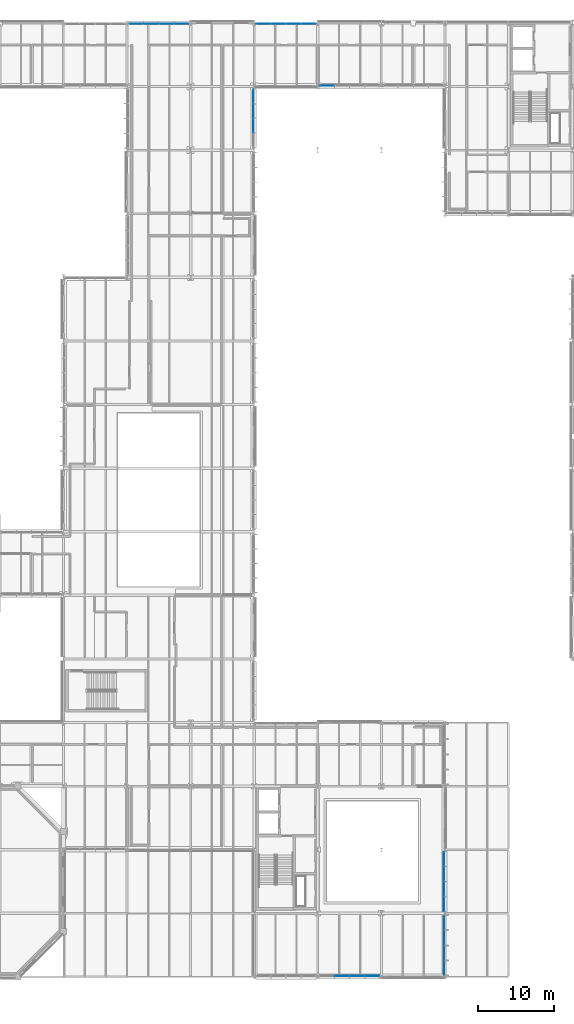
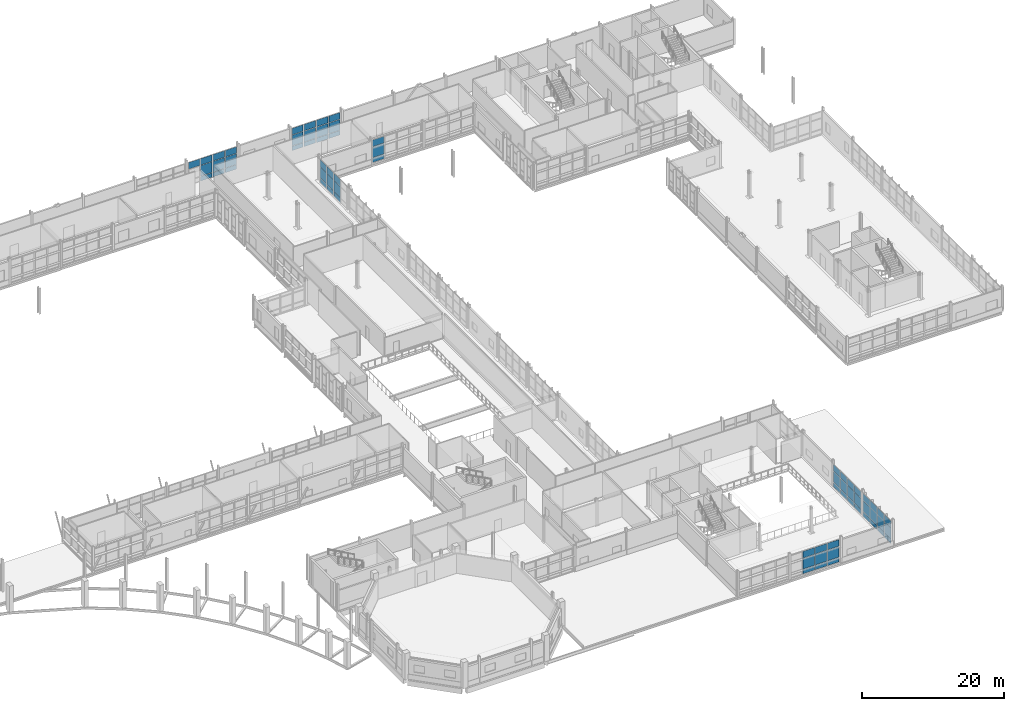
# One storey, part 88 of 129: 67 plates, 7 elements without a shape of their own.
"""IFC4 building model written with IfcOpenShell, lengths in metres."""

import ifcopenshell
import ifcopenshell.guid

model = None  # the IFC model being written
_history = None  # IfcOwnerHistory: only IFC2X3 demands one
_inside = {}  # id of a spatial element -> (the spatial element, [elements in it])
_under = {}  # id of a project, library or spatial element -> (it, [spatial elements below it])
_declared = {}  # id of a project -> (the project, [libraries it declares])
_typed = {}  # id of a type object -> (the type object, [elements of that type])
_made_of = {}  # id of a material, layer set ... -> (it, [elements and type objects made of it])


def new_model(schema):
    """Start an empty IFC model of exactly this schema.

    Asked for "IFC4X3", IfcOpenShell would pick the latest addendum, in which some entities
    have other attributes; the version numbers below select the first issue.
    IFC2X3 requires an IfcOwnerHistory on every rooted entity: one is made here for all.
    """
    global model, _history
    if schema == "IFC4X3":
        model = ifcopenshell.file(schema_version=(4, 3, 0, 0))
    else:
        model = ifcopenshell.file(schema=schema)
    _inside.clear()
    _under.clear()
    _declared.clear()
    _typed.clear()
    _made_of.clear()
    _history = None
    if model.schema == "IFC2X3":
        org = make("IfcOrganization", Name="unknown")
        user = make(
            "IfcPersonAndOrganization",
            ThePerson=make("IfcPerson", FamilyName="unknown"),
            TheOrganization=org,
        )
        app = make(
            "IfcApplication",
            ApplicationDeveloper=org,
            Version="unknown",
            ApplicationFullName="unknown",
            ApplicationIdentifier="unknown",
        )
        _history = make(
            "IfcOwnerHistory",
            OwningUser=user,
            OwningApplication=app,
            ChangeAction="ADDED",
            CreationDate=0,
        )
    return model


def make(cls, **values):
    """One entity of the class cls with the attributes given. An attribute that is None is left unset."""
    return model.create_entity(
        cls, **{name: value for name, value in values.items() if value is not None}
    )


def rooted(cls, **values):
    """An entity with a GlobalId (a new one), such as an element, a storey or a relation."""
    return make(cls, GlobalId=ifcopenshell.guid.new(), OwnerHistory=_history, **values)


def si_unit(unit_type, name, prefix=None):
    """IfcSIUnit, for example si_unit("LENGTHUNIT", "METRE", prefix="MILLI")."""
    return make("IfcSIUnit", UnitType=unit_type, Prefix=prefix, Name=name)


def assignment(units):
    """IfcUnitAssignment: the units of a project."""
    return None if units is None else make("IfcUnitAssignment", Units=units)


def point(xyz):
    """IfcCartesianPoint."""
    return None if xyz is None else make("IfcCartesianPoint", Coordinates=xyz)


def direction(xyz):
    """IfcDirection."""
    return None if xyz is None else make("IfcDirection", DirectionRatios=xyz)


def frame(location, z_axis=None, x_axis=None):
    """IfcAxis2Placement3D, a coordinate frame: its origin and axes. An axis left out is left unset."""
    return make(
        "IfcAxis2Placement3D",
        Location=point(location),
        Axis=direction(z_axis),
        RefDirection=direction(x_axis),
    )


def frame_2d(location, x_axis=None):
    """IfcAxis2Placement2D, a coordinate frame in the plane: its origin and x axis."""
    return make(
        "IfcAxis2Placement2D", Location=point(location), RefDirection=direction(x_axis)
    )


def origin():
    """The frame at (0, 0, 0) with its axes left unset."""
    return frame((0.0, 0.0, 0.0))


def origin_2d():
    """The frame at (0, 0) in the plane with its x axis left unset."""
    return frame_2d((0.0, 0.0))


def place(relative_to, where):
    """IfcLocalPlacement: puts the frame where relative to a parent placement (None: the world)."""
    return make(
        "IfcLocalPlacement", PlacementRelTo=relative_to, RelativePlacement=where
    )


def context(
    kind, dimensions, precision=None, world=None, true_north=None, identifier=None
):
    """IfcGeometricRepresentationContext, for example the 3D "Model" context."""
    return make(
        "IfcGeometricRepresentationContext",
        ContextIdentifier=identifier,
        ContextType=kind,
        CoordinateSpaceDimension=dimensions,
        Precision=precision,
        WorldCoordinateSystem=world,
        TrueNorth=true_north,
    )


def subcontext(parent, identifier, kind, view, scale=None):
    """IfcGeometricRepresentationSubContext, for example "Body" below "Model"."""
    return make(
        "IfcGeometricRepresentationSubContext",
        ContextIdentifier=identifier,
        ContextType=kind,
        ParentContext=parent,
        TargetScale=scale,
        TargetView=view,
    )


def project(units=None, contexts=None):
    """IfcProject with its units and contexts."""
    return rooted(
        "IfcProject",
        Name="project",
        RepresentationContexts=contexts,
        UnitsInContext=assignment(units),
    )


def spatial(cls, under=None, at=None, **own):
    """A site, building, storey or space (cls), placed at a placement, below another one or the project."""
    s = rooted(cls, ObjectPlacement=at, **own)
    if under is not None:
        _under.setdefault(under.id(), (under, []))[1].append(s)
    return s


def profile(cls, at=None, kind="AREA", **sizes):
    """A parametric profile (cls). Its sizes go by their IFC names, for example OverallWidth=200.0."""
    return make(cls, ProfileType=kind, Position=at, **sizes)


def rectangle(**sizes):
    """IfcRectangleProfileDef."""
    return profile("IfcRectangleProfileDef", **sizes)


def extrude(swept, where, along, depth):
    """IfcExtrudedAreaSolid: the profile swept, set in the frame where, extruded along a direction by depth."""
    return make(
        "IfcExtrudedAreaSolid",
        SweptArea=swept,
        Position=where,
        ExtrudedDirection=direction(along),
        Depth=depth,
    )


def shape(context_of_items, identifier, shape_type, items):
    """IfcShapeRepresentation: the items that make up one representation, for example the "Body"."""
    return make(
        "IfcShapeRepresentation",
        ContextOfItems=context_of_items,
        RepresentationIdentifier=identifier,
        RepresentationType=shape_type,
        Items=items,
    )


def material(Name=None, Category=None):
    """IfcMaterial."""
    return make("IfcMaterial", Name=Name, Category=Category)


def layer(
    of_material, thickness, ventilated=None, Name=None, Category=None, Priority=None
):
    """IfcMaterialLayer: one layer of a wall or slab, of a material (None: an air gap)."""
    return make(
        "IfcMaterialLayer",
        Material=of_material,
        LayerThickness=thickness,
        IsVentilated=ventilated,
        Name=Name,
        Category=Category,
        Priority=Priority,
    )


def layer_set(layers, Name=None):
    """IfcMaterialLayerSet."""
    return make("IfcMaterialLayerSet", MaterialLayers=layers, LayerSetName=Name)


def made_of(thing, what):
    """Note that an element or type object is made of a material, layer set ...; save() writes the relation."""
    if what is not None:
        _made_of.setdefault(what.id(), (what, []))[1].append(thing)
    return thing


def type_object(cls, material=None, **own):
    """A type object (cls), such as IfcWallType, which elements share."""
    return made_of(rooted(cls, **own), material)


def element(
    cls,
    number,
    at=None,
    inside=None,
    cuts=None,
    type_object=None,
    material=None,
    context=None,
    identifier="Body",
    shape_type=None,
    held_by="IfcProductDefinitionShape",
    body=None,
    shapes=None,
    **own,
):
    """One element of the class cls, such as IfcWall. Its Tag is "e" and its number.

    at: its placement. inside: the storey or other place that contains it. cuts: it is an
    opening in that element (IfcRelVoidsElement). A single representation is given by context,
    identifier, shape_type and body (its items); several are given by shapes. held_by: the class
    of the entity that holds the representations. save() writes the other relations.
    """
    e = rooted(cls, Tag="e%d" % number, ObjectPlacement=at, **own)
    if body is not None:
        shapes = [shape(context, identifier, shape_type, body)]
    if shapes is not None:
        e.Representation = make(held_by, Representations=shapes)
    if inside is not None:
        _inside.setdefault(inside.id(), (inside, []))[1].append(e)
    if cuts is not None:
        rooted(
            "IfcRelVoidsElement", RelatingBuildingElement=cuts, RelatedOpeningElement=e
        )
    if type_object is not None:
        _typed.setdefault(type_object.id(), (type_object, []))[1].append(e)
    return made_of(e, material)


def aggregate(whole, parts):
    """IfcRelAggregates: a whole, such as a stair, and the parts it consists of."""
    return rooted("IfcRelAggregates", RelatingObject=whole, RelatedObjects=parts)


def save(model, path):
    """Write the relations noted so far, then the file.

    IfcRelAggregates (storeys below a building ...), IfcRelContainedInSpatialStructure (elements
    in a storey), IfcRelDefinesByType, IfcRelAssociatesMaterial and IfcRelDeclares: one each for
    every whole, place, type object, material and project.
    """
    for whole, parts in _under.values():
        aggregate(whole, parts)
    for where, things in _inside.values():
        rooted(
            "IfcRelContainedInSpatialStructure",
            RelatedElements=things,
            RelatingStructure=where,
        )
    for kind, things in _typed.values():
        rooted("IfcRelDefinesByType", RelatedObjects=things, RelatingType=kind)
    for what, things in _made_of.values():
        rooted("IfcRelAssociatesMaterial", RelatedObjects=things, RelatingMaterial=what)
    for by, libraries in _declared.values():
        rooted("IfcRelDeclares", RelatingContext=by, RelatedDefinitions=libraries)
    model.write(path)


model = new_model("IFC4")

# Units and contexts
model_context = context("Model", 3, precision=1e-05, world=origin(), true_north=direction((0.0, 1.0)))
body_context = subcontext(model_context, "Body", "Model", "MODEL_VIEW")
ifc_project = project(units=[si_unit("LENGTHUNIT", "METRE"), si_unit("AREAUNIT", "SQUARE_METRE"), si_unit("VOLUMEUNIT", "CUBIC_METRE"), si_unit("PLANEANGLEUNIT", "RADIAN"), si_unit("MASSUNIT", "GRAM", prefix="KILO")], contexts=[model_context])

# Site, building, storey
site_placement = place(None, origin())
site = spatial("IfcSite", under=ifc_project, at=site_placement, CompositionType="ELEMENT")
building_placement = place(site_placement, origin())
building = spatial("IfcBuilding", under=site, at=building_placement, Name="Mersafa Astral City Hall", CompositionType="ELEMENT")
storey_placement = place(building_placement, frame((0.0, 0.0, 5.39990234375)))
storey = spatial("IfcBuildingStorey", under=building, at=storey_placement, Name="L01", CompositionType="ELEMENT", Elevation=5.39990234375)

# Curtain wall, plates
ifc_material_1 = material(Name="Anodised bronze aluminium framing", Category="aluminium")
curtain_wall_type_1 = type_object("IfcCurtainWallType", Name="ENV-CW-1", PredefinedType="USERDEFINED", material=ifc_material_1)
curtain_wall_1_placement = place(storey_placement, origin())
curtain_wall_1 = element("IfcCurtainWall", 1, at=curtain_wall_1_placement, inside=storey, type_object=curtain_wall_type_1, Name="L01 Unitised solar curtain wall 48", ObjectType="UNITISED CURTAIN WALL", PredefinedType="USERDEFINED")
ifc_material_2 = material(Name="Solar control low-e double glazing", Category="glass")
ifc_layer_1 = layer(ifc_material_2, 0.028076171875, Name="Solar control low-e double glazing")
ifc_layer_set_1 = layer_set([ifc_layer_1], Name="Solar control low-e double glazing — ENV-CW-PNL-GLZ-1")
plate_type_1 = type_object("IfcPlateType", Name="ENV-CW-PNL-GLZ-1", PredefinedType="CURTAIN_PANEL", material=ifc_layer_set_1)
plate_1_placement = place(storey_placement, frame((142.679931640625, 1.19775390625, 0.05810546875), z_axis=(0.0, 0.0, 1.0), x_axis=(0.0, 1.0, 0.0)))
plate_1 = element("IfcPlate", 2, at=plate_1_placement, type_object=plate_type_1, Name="CW-1 panel 1.1", PredefinedType="CURTAIN_PANEL", context=body_context, shape_type="SweptSolid", body=[
    extrude(rectangle(XDim=1.83154296875, YDim=0.028076171875, at=origin_2d()), origin(), (0.0, 0.0, 1.0), 0.761962890625),
])
plate_2_placement = place(storey_placement, frame((142.679931640625, 1.19775390625, 0.8798828125), z_axis=(0.0, 0.0, 1.0), x_axis=(0.0, 1.0, 0.0)))
plate_2 = element("IfcPlate", 3, at=plate_2_placement, type_object=plate_type_1, Name="CW-1 panel 1.2", PredefinedType="CURTAIN_PANEL", context=body_context, shape_type="SweptSolid", body=[
    extrude(rectangle(XDim=1.83154296875, YDim=0.028076171875, at=origin_2d()), origin(), (0.0, 0.0, 1.0), 1.840087890625),
])
plate_3_placement = place(storey_placement, frame((142.679931640625, 1.19775390625, 2.780029296875), z_axis=(0.0, 0.0, 1.0), x_axis=(0.0, 1.0, 0.0)))
plate_3 = element("IfcPlate", 4, at=plate_3_placement, type_object=plate_type_1, Name="CW-1 panel 1.3", PredefinedType="CURTAIN_PANEL", context=body_context, shape_type="SweptSolid", body=[
    extrude(rectangle(XDim=1.83154296875, YDim=0.028076171875, at=origin_2d()), origin(), (0.0, 0.0, 1.0), 1.18701171875),
])
plate_4_placement = place(storey_placement, frame((142.679931640625, 3.17919921875, 0.05810546875), z_axis=(0.0, 0.0, 1.0), x_axis=(0.0, 1.0, 0.0)))
plate_4 = element("IfcPlate", 5, at=plate_4_placement, type_object=plate_type_1, Name="CW-1 panel 2.1", PredefinedType="CURTAIN_PANEL", context=body_context, shape_type="SweptSolid", body=[
    extrude(rectangle(XDim=1.8916015625, YDim=0.028076171875, at=origin_2d()), origin(), (0.0, 0.0, 1.0), 0.761962890625),
])
plate_5_placement = place(storey_placement, frame((142.679931640625, 3.17919921875, 0.8798828125), z_axis=(0.0, 0.0, 1.0), x_axis=(0.0, 1.0, 0.0)))
plate_5 = element("IfcPlate", 6, at=plate_5_placement, type_object=plate_type_1, Name="CW-1 panel 2.2", PredefinedType="CURTAIN_PANEL", context=body_context, shape_type="SweptSolid", body=[
    extrude(rectangle(XDim=1.8916015625, YDim=0.028076171875, at=origin_2d()), origin(), (0.0, 0.0, 1.0), 1.840087890625),
])
plate_6_placement = place(storey_placement, frame((142.679931640625, 3.17919921875, 2.780029296875), z_axis=(0.0, 0.0, 1.0), x_axis=(0.0, 1.0, 0.0)))
plate_6 = element("IfcPlate", 7, at=plate_6_placement, type_object=plate_type_1, Name="CW-1 panel 2.3", PredefinedType="CURTAIN_PANEL", context=body_context, shape_type="SweptSolid", body=[
    extrude(rectangle(XDim=1.8916015625, YDim=0.028076171875, at=origin_2d()), origin(), (0.0, 0.0, 1.0), 1.18701171875),
])
plate_7_placement = place(storey_placement, frame((142.679931640625, 5.190673828125, 0.05810546875), z_axis=(0.0, 0.0, 1.0), x_axis=(0.0, 1.0, 0.0)))
plate_7 = element("IfcPlate", 8, at=plate_7_placement, type_object=plate_type_1, Name="CW-1 panel 3.1", PredefinedType="CURTAIN_PANEL", context=body_context, shape_type="SweptSolid", body=[
    extrude(rectangle(XDim=1.8916015625, YDim=0.028076171875, at=origin_2d()), origin(), (0.0, 0.0, 1.0), 0.761962890625),
])
plate_8_placement = place(storey_placement, frame((142.679931640625, 5.190673828125, 0.8798828125), z_axis=(0.0, 0.0, 1.0), x_axis=(0.0, 1.0, 0.0)))
plate_8 = element("IfcPlate", 9, at=plate_8_placement, type_object=plate_type_1, Name="CW-1 panel 3.2", PredefinedType="CURTAIN_PANEL", context=body_context, shape_type="SweptSolid", body=[
    extrude(rectangle(XDim=1.8916015625, YDim=0.028076171875, at=origin_2d()), origin(), (0.0, 0.0, 1.0), 1.840087890625),
])
plate_9_placement = place(storey_placement, frame((142.679931640625, 5.190673828125, 2.780029296875), z_axis=(0.0, 0.0, 1.0), x_axis=(0.0, 1.0, 0.0)))
plate_9 = element("IfcPlate", 10, at=plate_9_placement, type_object=plate_type_1, Name="CW-1 panel 3.3", PredefinedType="CURTAIN_PANEL", context=body_context, shape_type="SweptSolid", body=[
    extrude(rectangle(XDim=1.8916015625, YDim=0.028076171875, at=origin_2d()), origin(), (0.0, 0.0, 1.0), 1.18701171875),
])
plate_10_placement = place(storey_placement, frame((142.679931640625, 7.17236328125, 0.05810546875), z_axis=(0.0, 0.0, 1.0), x_axis=(0.0, 1.0, 0.0)))
plate_10 = element("IfcPlate", 11, at=plate_10_placement, type_object=plate_type_1, Name="CW-1 panel 4.1", PredefinedType="CURTAIN_PANEL", context=body_context, shape_type="SweptSolid", body=[
    extrude(rectangle(XDim=1.83154296875, YDim=0.028076171875, at=origin_2d()), origin(), (0.0, 0.0, 1.0), 0.761962890625),
])
plate_11_placement = place(storey_placement, frame((142.679931640625, 7.17236328125, 0.8798828125), z_axis=(0.0, 0.0, 1.0), x_axis=(0.0, 1.0, 0.0)))
plate_11 = element("IfcPlate", 12, at=plate_11_placement, type_object=plate_type_1, Name="CW-1 panel 4.2", PredefinedType="CURTAIN_PANEL", context=body_context, shape_type="SweptSolid", body=[
    extrude(rectangle(XDim=1.83154296875, YDim=0.028076171875, at=origin_2d()), origin(), (0.0, 0.0, 1.0), 1.840087890625),
])
plate_12_placement = place(storey_placement, frame((142.679931640625, 7.17236328125, 2.780029296875), z_axis=(0.0, 0.0, 1.0), x_axis=(0.0, 1.0, 0.0)))
plate_12 = element("IfcPlate", 13, at=plate_12_placement, type_object=plate_type_1, Name="CW-1 panel 4.3", PredefinedType="CURTAIN_PANEL", context=body_context, shape_type="SweptSolid", body=[
    extrude(rectangle(XDim=1.83154296875, YDim=0.028076171875, at=origin_2d()), origin(), (0.0, 0.0, 1.0), 1.18701171875),
])
aggregate(curtain_wall_1, [plate_1, plate_2, plate_3, plate_4, plate_5, plate_6, plate_7, plate_8, plate_9, plate_10, plate_11, plate_12])

curtain_wall_2_placement = place(storey_placement, origin())
curtain_wall_2 = element("IfcCurtainWall", 14, at=curtain_wall_2_placement, inside=storey, type_object=curtain_wall_type_1, Name="L01 Unitised solar curtain wall 60", ObjectType="UNITISED CURTAIN WALL", PredefinedType="USERDEFINED")
plate_13_placement = place(storey_placement, frame((127.201416015625, 117.719970703125, 0.05810546875), z_axis=(0.0, 0.0, 1.0), x_axis=(1.0, 0.0, 0.0)))
plate_13 = element("IfcPlate", 15, at=plate_13_placement, type_object=plate_type_1, Name="CW-1 panel 1.1", PredefinedType="CURTAIN_PANEL", context=body_context, shape_type="SweptSolid", body=[
    extrude(rectangle(XDim=1.839111328125, YDim=0.028076171875, at=origin_2d()), origin(), (0.0, 0.0, 1.0), 0.761962890625),
])
plate_14_placement = place(storey_placement, frame((127.201416015625, 117.719970703125, 0.8798828125), z_axis=(0.0, 0.0, 1.0), x_axis=(1.0, 0.0, 0.0)))
plate_14 = element("IfcPlate", 16, at=plate_14_placement, type_object=plate_type_1, Name="CW-1 panel 1.2", PredefinedType="CURTAIN_PANEL", context=body_context, shape_type="SweptSolid", body=[
    extrude(rectangle(XDim=1.839111328125, YDim=0.028076171875, at=origin_2d()), origin(), (0.0, 0.0, 1.0), 1.840087890625),
])
plate_15_placement = place(storey_placement, frame((127.201416015625, 117.719970703125, 2.780029296875), z_axis=(0.0, 0.0, 1.0), x_axis=(1.0, 0.0, 0.0)))
plate_15 = element("IfcPlate", 17, at=plate_15_placement, type_object=plate_type_1, Name="CW-1 panel 1.3", PredefinedType="CURTAIN_PANEL", context=body_context, shape_type="SweptSolid", body=[
    extrude(rectangle(XDim=1.839111328125, YDim=0.028076171875, at=origin_2d()), origin(), (0.0, 0.0, 1.0), 1.126953125),
])
aggregate(curtain_wall_2, [plate_13, plate_14, plate_15])

curtain_wall_type_2 = type_object("IfcCurtainWallType", Name="ENV-CW-5", PredefinedType="USERDEFINED", material=ifc_material_1)
curtain_wall_3_placement = place(storey_placement, origin())
curtain_wall_3 = element("IfcCurtainWall", 18, at=curtain_wall_3_placement, inside=storey, type_object=curtain_wall_type_2, Name="L01 Unitised solar curtain wall 76", ObjectType="UNITISED CURTAIN WALL", PredefinedType="USERDEFINED")
plate_16_placement = place(storey_placement, frame((124.798583984375, 125.8798828125, 0.05810546875), z_axis=(0.0, 0.0, 1.0), x_axis=(-1.0, 0.0, 0.0)))
plate_16 = element("IfcPlate", 19, at=plate_16_placement, type_object=plate_type_1, Name="CW-5 panel 1.1", PredefinedType="CURTAIN_PANEL", context=body_context, shape_type="SweptSolid", body=[
    extrude(rectangle(XDim=1.839111328125, YDim=0.028076171875, at=origin_2d()), origin(), (0.0, 0.0, 1.0), 0.761962890625),
])
plate_17_placement = place(storey_placement, frame((124.798583984375, 125.8798828125, 0.8798828125), z_axis=(0.0, 0.0, 1.0), x_axis=(-1.0, 0.0, 0.0)))
plate_17 = element("IfcPlate", 20, at=plate_17_placement, type_object=plate_type_1, Name="CW-5 panel 1.2", PredefinedType="CURTAIN_PANEL", context=body_context, shape_type="SweptSolid", body=[
    extrude(rectangle(XDim=1.839111328125, YDim=0.028076171875, at=origin_2d()), origin(), (0.0, 0.0, 1.0), 1.840087890625),
])
plate_18_placement = place(storey_placement, frame((124.798583984375, 125.8798828125, 2.780029296875), z_axis=(0.0, 0.0, 1.0), x_axis=(-1.0, 0.0, 0.0)))
plate_18 = element("IfcPlate", 21, at=plate_18_placement, type_object=plate_type_1, Name="CW-5 panel 1.3", PredefinedType="CURTAIN_PANEL", context=body_context, shape_type="SweptSolid", body=[
    extrude(rectangle(XDim=1.839111328125, YDim=0.028076171875, at=origin_2d()), origin(), (0.0, 0.0, 1.0), 1.126953125),
])
plate_19_placement = place(storey_placement, frame((122.8095703125, 125.8798828125, 0.05810546875), z_axis=(0.0, 0.0, 1.0), x_axis=(-1.0, 0.0, 0.0)))
plate_19 = element("IfcPlate", 22, at=plate_19_placement, type_object=plate_type_1, Name="CW-5 panel 2.1", PredefinedType="CURTAIN_PANEL", context=body_context, shape_type="SweptSolid", body=[
    extrude(rectangle(XDim=1.89892578125, YDim=0.028076171875, at=origin_2d()), origin(), (0.0, 0.0, 1.0), 0.761962890625),
])
plate_20_placement = place(storey_placement, frame((122.8095703125, 125.8798828125, 0.8798828125), z_axis=(0.0, 0.0, 1.0), x_axis=(-1.0, 0.0, 0.0)))
plate_20 = element("IfcPlate", 23, at=plate_20_placement, type_object=plate_type_1, Name="CW-5 panel 2.2", PredefinedType="CURTAIN_PANEL", context=body_context, shape_type="SweptSolid", body=[
    extrude(rectangle(XDim=1.89892578125, YDim=0.028076171875, at=origin_2d()), origin(), (0.0, 0.0, 1.0), 1.840087890625),
])
plate_21_placement = place(storey_placement, frame((122.8095703125, 125.8798828125, 2.780029296875), z_axis=(0.0, 0.0, 1.0), x_axis=(-1.0, 0.0, 0.0)))
plate_21 = element("IfcPlate", 24, at=plate_21_placement, type_object=plate_type_1, Name="CW-5 panel 2.3", PredefinedType="CURTAIN_PANEL", context=body_context, shape_type="SweptSolid", body=[
    extrude(rectangle(XDim=1.89892578125, YDim=0.028076171875, at=origin_2d()), origin(), (0.0, 0.0, 1.0), 1.126953125),
])
plate_22_placement = place(storey_placement, frame((120.79052734375, 125.8798828125, 0.05810546875), z_axis=(0.0, 0.0, 1.0), x_axis=(-1.0, 0.0, 0.0)))
plate_22 = element("IfcPlate", 25, at=plate_22_placement, type_object=plate_type_1, Name="CW-5 panel 3.1", PredefinedType="CURTAIN_PANEL", context=body_context, shape_type="SweptSolid", body=[
    extrude(rectangle(XDim=1.89892578125, YDim=0.028076171875, at=origin_2d()), origin(), (0.0, 0.0, 1.0), 0.761962890625),
])
plate_23_placement = place(storey_placement, frame((120.79052734375, 125.8798828125, 0.8798828125), z_axis=(0.0, 0.0, 1.0), x_axis=(-1.0, 0.0, 0.0)))
plate_23 = element("IfcPlate", 26, at=plate_23_placement, type_object=plate_type_1, Name="CW-5 panel 3.2", PredefinedType="CURTAIN_PANEL", context=body_context, shape_type="SweptSolid", body=[
    extrude(rectangle(XDim=1.89892578125, YDim=0.028076171875, at=origin_2d()), origin(), (0.0, 0.0, 1.0), 1.840087890625),
])
plate_24_placement = place(storey_placement, frame((120.79052734375, 125.8798828125, 2.780029296875), z_axis=(0.0, 0.0, 1.0), x_axis=(-1.0, 0.0, 0.0)))
plate_24 = element("IfcPlate", 27, at=plate_24_placement, type_object=plate_type_1, Name="CW-5 panel 3.3", PredefinedType="CURTAIN_PANEL", context=body_context, shape_type="SweptSolid", body=[
    extrude(rectangle(XDim=1.89892578125, YDim=0.028076171875, at=origin_2d()), origin(), (0.0, 0.0, 1.0), 1.126953125),
])
plate_25_placement = place(storey_placement, frame((118.801513671875, 125.8798828125, 0.05810546875), z_axis=(0.0, 0.0, 1.0), x_axis=(-1.0, 0.0, 0.0)))
plate_25 = element("IfcPlate", 28, at=plate_25_placement, type_object=plate_type_1, Name="CW-5 panel 4.1", PredefinedType="CURTAIN_PANEL", context=body_context, shape_type="SweptSolid", body=[
    extrude(rectangle(XDim=1.839111328125, YDim=0.028076171875, at=origin_2d()), origin(), (0.0, 0.0, 1.0), 0.761962890625),
])
plate_26_placement = place(storey_placement, frame((118.801513671875, 125.8798828125, 0.8798828125), z_axis=(0.0, 0.0, 1.0), x_axis=(-1.0, 0.0, 0.0)))
plate_26 = element("IfcPlate", 29, at=plate_26_placement, type_object=plate_type_1, Name="CW-5 panel 4.2", PredefinedType="CURTAIN_PANEL", context=body_context, shape_type="SweptSolid", body=[
    extrude(rectangle(XDim=1.839111328125, YDim=0.028076171875, at=origin_2d()), origin(), (0.0, 0.0, 1.0), 1.840087890625),
])
plate_27_placement = place(storey_placement, frame((118.801513671875, 125.8798828125, 2.780029296875), z_axis=(0.0, 0.0, 1.0), x_axis=(-1.0, 0.0, 0.0)))
plate_27 = element("IfcPlate", 30, at=plate_27_placement, type_object=plate_type_1, Name="CW-5 panel 4.3", PredefinedType="CURTAIN_PANEL", context=body_context, shape_type="SweptSolid", body=[
    extrude(rectangle(XDim=1.839111328125, YDim=0.028076171875, at=origin_2d()), origin(), (0.0, 0.0, 1.0), 1.126953125),
])
aggregate(curtain_wall_3, [plate_16, plate_17, plate_18, plate_19, plate_20, plate_21, plate_22, plate_23, plate_24, plate_25, plate_26, plate_27])

curtain_wall_type_3 = type_object("IfcCurtainWallType", Name="ENV-CW-2", PredefinedType="USERDEFINED", material=ifc_material_1)
curtain_wall_4_placement = place(storey_placement, origin())
curtain_wall_4 = element("IfcCurtainWall", 31, at=curtain_wall_4_placement, inside=storey, type_object=curtain_wall_type_3, Name="L01 Unitised solar curtain wall 49", ObjectType="UNITISED CURTAIN WALL", PredefinedType="USERDEFINED")
ifc_layer_2 = layer(ifc_material_2, 0.031982421875, Name="Solar control low-e double glazing")
ifc_layer_set_2 = layer_set([ifc_layer_2], Name="Solar control low-e double glazing — ENV-CW-PNL-GLZ-2")
plate_type_2 = type_object("IfcPlateType", Name="ENV-CW-PNL-GLZ-2", PredefinedType="CURTAIN_PANEL", material=ifc_layer_set_2)
plate_28_placement = place(storey_placement, frame((142.679931640625, 9.625244140625, 0.05810546875), z_axis=(0.0, 0.0, 1.0), x_axis=(0.0, 1.0, 0.0)))
plate_28 = element("IfcPlate", 32, at=plate_28_placement, type_object=plate_type_2, Name="CW-2 panel 1.1", PredefinedType="CURTAIN_PANEL", context=body_context, shape_type="SweptSolid", body=[
    extrude(rectangle(XDim=1.826416015625, YDim=0.031982421875, at=origin_2d()), origin(), (0.0, 0.0, 1.0), 0.761962890625),
])
plate_29_placement = place(storey_placement, frame((142.679931640625, 9.625244140625, 0.8798828125), z_axis=(0.0, 0.0, 1.0), x_axis=(0.0, 1.0, 0.0)))
plate_29 = element("IfcPlate", 33, at=plate_29_placement, type_object=plate_type_2, Name="CW-2 panel 1.2", PredefinedType="CURTAIN_PANEL", context=body_context, shape_type="SweptSolid", body=[
    extrude(rectangle(XDim=1.826416015625, YDim=0.031982421875, at=origin_2d()), origin(), (0.0, 0.0, 1.0), 1.840087890625),
])
plate_30_placement = place(storey_placement, frame((142.679931640625, 9.625244140625, 2.7802734375), z_axis=(0.0, 0.0, 1.0), x_axis=(0.0, 1.0, 0.0)))
plate_30 = element("IfcPlate", 34, at=plate_30_placement, type_object=plate_type_2, Name="CW-2 panel 1.3", PredefinedType="CURTAIN_PANEL", context=body_context, shape_type="SweptSolid", body=[
    extrude(rectangle(XDim=1.826416015625, YDim=0.031982421875, at=origin_2d()), origin(), (0.0, 0.0, 1.0), 1.096923828125),
])
plate_31_placement = place(storey_placement, frame((142.679931640625, 11.601806640625, 0.05810546875), z_axis=(0.0, 0.0, 1.0), x_axis=(0.0, 1.0, 0.0)))
plate_31 = element("IfcPlate", 35, at=plate_31_placement, type_object=plate_type_2, Name="CW-2 panel 2.1", PredefinedType="CURTAIN_PANEL", context=body_context, shape_type="SweptSolid", body=[
    extrude(rectangle(XDim=1.886474609375, YDim=0.031982421875, at=origin_2d()), origin(), (0.0, 0.0, 1.0), 0.761962890625),
])
plate_32_placement = place(storey_placement, frame((142.679931640625, 11.601806640625, 0.8798828125), z_axis=(0.0, 0.0, 1.0), x_axis=(0.0, 1.0, 0.0)))
plate_32 = element("IfcPlate", 36, at=plate_32_placement, type_object=plate_type_2, Name="CW-2 panel 2.2", PredefinedType="CURTAIN_PANEL", context=body_context, shape_type="SweptSolid", body=[
    extrude(rectangle(XDim=1.886474609375, YDim=0.031982421875, at=origin_2d()), origin(), (0.0, 0.0, 1.0), 1.840087890625),
])
plate_33_placement = place(storey_placement, frame((142.679931640625, 11.601806640625, 2.7802734375), z_axis=(0.0, 0.0, 1.0), x_axis=(0.0, 1.0, 0.0)))
plate_33 = element("IfcPlate", 37, at=plate_33_placement, type_object=plate_type_2, Name="CW-2 panel 2.3", PredefinedType="CURTAIN_PANEL", context=body_context, shape_type="SweptSolid", body=[
    extrude(rectangle(XDim=1.886474609375, YDim=0.031982421875, at=origin_2d()), origin(), (0.0, 0.0, 1.0), 1.096923828125),
])
plate_34_placement = place(storey_placement, frame((142.679931640625, 13.608154296875, 0.05810546875), z_axis=(0.0, 0.0, 1.0), x_axis=(0.0, 1.0, 0.0)))
plate_34 = element("IfcPlate", 38, at=plate_34_placement, type_object=plate_type_2, Name="CW-2 panel 3.1", PredefinedType="CURTAIN_PANEL", context=body_context, shape_type="SweptSolid", body=[
    extrude(rectangle(XDim=1.886474609375, YDim=0.031982421875, at=origin_2d()), origin(), (0.0, 0.0, 1.0), 0.761962890625),
])
plate_35_placement = place(storey_placement, frame((142.679931640625, 13.608154296875, 0.8798828125), z_axis=(0.0, 0.0, 1.0), x_axis=(0.0, 1.0, 0.0)))
plate_35 = element("IfcPlate", 39, at=plate_35_placement, type_object=plate_type_2, Name="CW-2 panel 3.2", PredefinedType="CURTAIN_PANEL", context=body_context, shape_type="SweptSolid", body=[
    extrude(rectangle(XDim=1.886474609375, YDim=0.031982421875, at=origin_2d()), origin(), (0.0, 0.0, 1.0), 1.840087890625),
])
plate_36_placement = place(storey_placement, frame((142.679931640625, 13.608154296875, 2.7802734375), z_axis=(0.0, 0.0, 1.0), x_axis=(0.0, 1.0, 0.0)))
plate_36 = element("IfcPlate", 40, at=plate_36_placement, type_object=plate_type_2, Name="CW-2 panel 3.3", PredefinedType="CURTAIN_PANEL", context=body_context, shape_type="SweptSolid", body=[
    extrude(rectangle(XDim=1.886474609375, YDim=0.031982421875, at=origin_2d()), origin(), (0.0, 0.0, 1.0), 1.096923828125),
])
plate_37_placement = place(storey_placement, frame((142.679931640625, 15.584716796875, 0.05810546875), z_axis=(0.0, 0.0, 1.0), x_axis=(0.0, 1.0, 0.0)))
plate_37 = element("IfcPlate", 41, at=plate_37_placement, type_object=plate_type_2, Name="CW-2 panel 4.1", PredefinedType="CURTAIN_PANEL", context=body_context, shape_type="SweptSolid", body=[
    extrude(rectangle(XDim=1.826416015625, YDim=0.031982421875, at=origin_2d()), origin(), (0.0, 0.0, 1.0), 0.761962890625),
])
plate_38_placement = place(storey_placement, frame((142.679931640625, 15.584716796875, 0.8798828125), z_axis=(0.0, 0.0, 1.0), x_axis=(0.0, 1.0, 0.0)))
plate_38 = element("IfcPlate", 42, at=plate_38_placement, type_object=plate_type_2, Name="CW-2 panel 4.2", PredefinedType="CURTAIN_PANEL", context=body_context, shape_type="SweptSolid", body=[
    extrude(rectangle(XDim=1.826416015625, YDim=0.031982421875, at=origin_2d()), origin(), (0.0, 0.0, 1.0), 1.840087890625),
])
plate_39_placement = place(storey_placement, frame((142.679931640625, 15.584716796875, 2.7802734375), z_axis=(0.0, 0.0, 1.0), x_axis=(0.0, 1.0, 0.0)))
plate_39 = element("IfcPlate", 43, at=plate_39_placement, type_object=plate_type_2, Name="CW-2 panel 4.3", PredefinedType="CURTAIN_PANEL", context=body_context, shape_type="SweptSolid", body=[
    extrude(rectangle(XDim=1.826416015625, YDim=0.031982421875, at=origin_2d()), origin(), (0.0, 0.0, 1.0), 1.096923828125),
])
aggregate(curtain_wall_4, [plate_28, plate_29, plate_30, plate_31, plate_32, plate_33, plate_34, plate_35, plate_36, plate_37, plate_38, plate_39])

curtain_wall_type_4 = type_object("IfcCurtainWallType", Name="ENV-CW-6", PredefinedType="USERDEFINED", material=ifc_material_1)
curtain_wall_5_placement = place(storey_placement, origin())
curtain_wall_5 = element("IfcCurtainWall", 44, at=curtain_wall_5_placement, inside=storey, type_object=curtain_wall_type_4, Name="L01 Unitised solar curtain wall 77", ObjectType="UNITISED CURTAIN WALL", PredefinedType="USERDEFINED")
plate_40_placement = place(storey_placement, frame((107.99853515625, 125.8798828125, 0.05810546875), z_axis=(0.0, 0.0, 1.0), x_axis=(-1.0, 0.0, 0.0)))
plate_40 = element("IfcPlate", 45, at=plate_40_placement, type_object=plate_type_2, Name="CW-6 panel 1.1", PredefinedType="CURTAIN_PANEL", context=body_context, shape_type="SweptSolid", body=[
    extrude(rectangle(XDim=1.839111328125, YDim=0.031982421875, at=origin_2d()), origin(), (0.0, 0.0, 1.0), 0.761962890625),
])
plate_41_placement = place(storey_placement, frame((107.99853515625, 125.8798828125, 0.8798828125), z_axis=(0.0, 0.0, 1.0), x_axis=(-1.0, 0.0, 0.0)))
plate_41 = element("IfcPlate", 46, at=plate_41_placement, type_object=plate_type_2, Name="CW-6 panel 1.2", PredefinedType="CURTAIN_PANEL", context=body_context, shape_type="SweptSolid", body=[
    extrude(rectangle(XDim=1.839111328125, YDim=0.031982421875, at=origin_2d()), origin(), (0.0, 0.0, 1.0), 1.840087890625),
])
plate_42_placement = place(storey_placement, frame((107.99853515625, 125.8798828125, 2.780029296875), z_axis=(0.0, 0.0, 1.0), x_axis=(-1.0, 0.0, 0.0)))
plate_42 = element("IfcPlate", 47, at=plate_42_placement, type_object=plate_type_2, Name="CW-6 panel 1.3", PredefinedType="CURTAIN_PANEL", context=body_context, shape_type="SweptSolid", body=[
    extrude(rectangle(XDim=1.839111328125, YDim=0.031982421875, at=origin_2d()), origin(), (0.0, 0.0, 1.0), 1.126953125),
])
plate_43_placement = place(storey_placement, frame((106.009521484375, 125.8798828125, 0.05810546875), z_axis=(0.0, 0.0, 1.0), x_axis=(-1.0, 0.0, 0.0)))
plate_43 = element("IfcPlate", 48, at=plate_43_placement, type_object=plate_type_2, Name="CW-6 panel 2.1", PredefinedType="CURTAIN_PANEL", context=body_context, shape_type="SweptSolid", body=[
    extrude(rectangle(XDim=1.89892578125, YDim=0.031982421875, at=origin_2d()), origin(), (0.0, 0.0, 1.0), 0.761962890625),
])
plate_44_placement = place(storey_placement, frame((106.009521484375, 125.8798828125, 0.8798828125), z_axis=(0.0, 0.0, 1.0), x_axis=(-1.0, 0.0, 0.0)))
plate_44 = element("IfcPlate", 49, at=plate_44_placement, type_object=plate_type_2, Name="CW-6 panel 2.2", PredefinedType="CURTAIN_PANEL", context=body_context, shape_type="SweptSolid", body=[
    extrude(rectangle(XDim=1.89892578125, YDim=0.031982421875, at=origin_2d()), origin(), (0.0, 0.0, 1.0), 1.840087890625),
])
plate_45_placement = place(storey_placement, frame((106.009521484375, 125.8798828125, 2.780029296875), z_axis=(0.0, 0.0, 1.0), x_axis=(-1.0, 0.0, 0.0)))
plate_45 = element("IfcPlate", 50, at=plate_45_placement, type_object=plate_type_2, Name="CW-6 panel 2.3", PredefinedType="CURTAIN_PANEL", context=body_context, shape_type="SweptSolid", body=[
    extrude(rectangle(XDim=1.89892578125, YDim=0.031982421875, at=origin_2d()), origin(), (0.0, 0.0, 1.0), 1.126953125),
])
plate_46_placement = place(storey_placement, frame((103.990478515625, 125.8798828125, 0.05810546875), z_axis=(0.0, 0.0, 1.0), x_axis=(-1.0, 0.0, 0.0)))
plate_46 = element("IfcPlate", 51, at=plate_46_placement, type_object=plate_type_2, Name="CW-6 panel 3.1", PredefinedType="CURTAIN_PANEL", context=body_context, shape_type="SweptSolid", body=[
    extrude(rectangle(XDim=1.89892578125, YDim=0.031982421875, at=origin_2d()), origin(), (0.0, 0.0, 1.0), 0.761962890625),
])
plate_47_placement = place(storey_placement, frame((103.990478515625, 125.8798828125, 0.8798828125), z_axis=(0.0, 0.0, 1.0), x_axis=(-1.0, 0.0, 0.0)))
plate_47 = element("IfcPlate", 52, at=plate_47_placement, type_object=plate_type_2, Name="CW-6 panel 3.2", PredefinedType="CURTAIN_PANEL", context=body_context, shape_type="SweptSolid", body=[
    extrude(rectangle(XDim=1.89892578125, YDim=0.031982421875, at=origin_2d()), origin(), (0.0, 0.0, 1.0), 1.840087890625),
])
plate_48_placement = place(storey_placement, frame((103.990478515625, 125.8798828125, 2.780029296875), z_axis=(0.0, 0.0, 1.0), x_axis=(-1.0, 0.0, 0.0)))
plate_48 = element("IfcPlate", 53, at=plate_48_placement, type_object=plate_type_2, Name="CW-6 panel 3.3", PredefinedType="CURTAIN_PANEL", context=body_context, shape_type="SweptSolid", body=[
    extrude(rectangle(XDim=1.89892578125, YDim=0.031982421875, at=origin_2d()), origin(), (0.0, 0.0, 1.0), 1.126953125),
])
plate_49_placement = place(storey_placement, frame((102.00146484375, 125.8798828125, 2.780029296875), z_axis=(0.0, 0.0, 1.0), x_axis=(-1.0, 0.0, 0.0)))
plate_49 = element("IfcPlate", 54, at=plate_49_placement, type_object=plate_type_2, Name="CW-6 panel 4.3", PredefinedType="CURTAIN_PANEL", context=body_context, shape_type="SweptSolid", body=[
    extrude(rectangle(XDim=1.839111328125, YDim=0.031982421875, at=origin_2d()), origin(), (0.0, 0.0, 1.0), 1.126953125),
])
aggregate(curtain_wall_5, [plate_40, plate_41, plate_42, plate_43, plate_44, plate_45, plate_46, plate_47, plate_48, plate_49])

curtain_wall_6_placement = place(storey_placement, origin())
curtain_wall_6 = element("IfcCurtainWall", 55, at=curtain_wall_6_placement, inside=storey, type_object=curtain_wall_type_4, Name="L01 Unitised solar curtain wall 47", ObjectType="UNITISED CURTAIN WALL", PredefinedType="USERDEFINED")
ifc_layer_3 = layer(ifc_material_2, 0.0400390625, Name="Solar control low-e double glazing")
ifc_layer_set_3 = layer_set([ifc_layer_3], Name="Solar control low-e double glazing — ENV-CW-PNL-GLZ-4")
plate_type_3 = type_object("IfcPlateType", Name="ENV-CW-PNL-GLZ-4", PredefinedType="CURTAIN_PANEL", material=ifc_layer_set_3)
plate_50_placement = place(storey_placement, frame((129.1904296875, 0.1201171875, 0.05810546875), z_axis=(0.0, 0.0, 1.0), x_axis=(1.0, 0.0, 0.0)))
plate_50 = element("IfcPlate", 56, at=plate_50_placement, type_object=plate_type_3, Name="CW-6 panel 2.1", PredefinedType="CURTAIN_PANEL", context=body_context, shape_type="SweptSolid", body=[
    extrude(rectangle(XDim=1.89892578125, YDim=0.0400390625, at=origin_2d()), origin(), (0.0, 0.0, 1.0), 0.761962890625),
])
plate_51_placement = place(storey_placement, frame((129.1904296875, 0.1201171875, 0.8798828125), z_axis=(0.0, 0.0, 1.0), x_axis=(1.0, 0.0, 0.0)))
plate_51 = element("IfcPlate", 57, at=plate_51_placement, type_object=plate_type_3, Name="CW-6 panel 2.2", PredefinedType="CURTAIN_PANEL", context=body_context, shape_type="SweptSolid", body=[
    extrude(rectangle(XDim=1.89892578125, YDim=0.0400390625, at=origin_2d()), origin(), (0.0, 0.0, 1.0), 1.840087890625),
])
plate_52_placement = place(storey_placement, frame((129.1904296875, 0.1201171875, 2.780029296875), z_axis=(0.0, 0.0, 1.0), x_axis=(1.0, 0.0, 0.0)))
plate_52 = element("IfcPlate", 58, at=plate_52_placement, type_object=plate_type_3, Name="CW-6 panel 2.3", PredefinedType="CURTAIN_PANEL", context=body_context, shape_type="SweptSolid", body=[
    extrude(rectangle(XDim=1.89892578125, YDim=0.0400390625, at=origin_2d()), origin(), (0.0, 0.0, 1.0), 1.126953125),
])
plate_53_placement = place(storey_placement, frame((131.20947265625, 0.1201171875, 0.05810546875), z_axis=(0.0, 0.0, 1.0), x_axis=(1.0, 0.0, 0.0)))
plate_53 = element("IfcPlate", 59, at=plate_53_placement, type_object=plate_type_3, Name="CW-6 panel 3.1", PredefinedType="CURTAIN_PANEL", context=body_context, shape_type="SweptSolid", body=[
    extrude(rectangle(XDim=1.89892578125, YDim=0.0400390625, at=origin_2d()), origin(), (0.0, 0.0, 1.0), 0.761962890625),
])
plate_54_placement = place(storey_placement, frame((131.20947265625, 0.1201171875, 0.8798828125), z_axis=(0.0, 0.0, 1.0), x_axis=(1.0, 0.0, 0.0)))
plate_54 = element("IfcPlate", 60, at=plate_54_placement, type_object=plate_type_3, Name="CW-6 panel 3.2", PredefinedType="CURTAIN_PANEL", context=body_context, shape_type="SweptSolid", body=[
    extrude(rectangle(XDim=1.89892578125, YDim=0.0400390625, at=origin_2d()), origin(), (0.0, 0.0, 1.0), 1.840087890625),
])
plate_55_placement = place(storey_placement, frame((131.20947265625, 0.1201171875, 2.780029296875), z_axis=(0.0, 0.0, 1.0), x_axis=(1.0, 0.0, 0.0)))
plate_55 = element("IfcPlate", 61, at=plate_55_placement, type_object=plate_type_3, Name="CW-6 panel 3.3", PredefinedType="CURTAIN_PANEL", context=body_context, shape_type="SweptSolid", body=[
    extrude(rectangle(XDim=1.89892578125, YDim=0.0400390625, at=origin_2d()), origin(), (0.0, 0.0, 1.0), 1.126953125),
])
plate_56_placement = place(storey_placement, frame((133.198486328125, 0.1201171875, 0.05810546875), z_axis=(0.0, 0.0, 1.0), x_axis=(1.0, 0.0, 0.0)))
plate_56 = element("IfcPlate", 62, at=plate_56_placement, type_object=plate_type_3, Name="CW-6 panel 4.1", PredefinedType="CURTAIN_PANEL", context=body_context, shape_type="SweptSolid", body=[
    extrude(rectangle(XDim=1.839111328125, YDim=0.0400390625, at=origin_2d()), origin(), (0.0, 0.0, 1.0), 0.761962890625),
])
plate_57_placement = place(storey_placement, frame((133.198486328125, 0.1201171875, 0.8798828125), z_axis=(0.0, 0.0, 1.0), x_axis=(1.0, 0.0, 0.0)))
plate_57 = element("IfcPlate", 63, at=plate_57_placement, type_object=plate_type_3, Name="CW-6 panel 4.2", PredefinedType="CURTAIN_PANEL", context=body_context, shape_type="SweptSolid", body=[
    extrude(rectangle(XDim=1.839111328125, YDim=0.0400390625, at=origin_2d()), origin(), (0.0, 0.0, 1.0), 1.840087890625),
])
plate_58_placement = place(storey_placement, frame((133.198486328125, 0.1201171875, 2.780029296875), z_axis=(0.0, 0.0, 1.0), x_axis=(1.0, 0.0, 0.0)))
plate_58 = element("IfcPlate", 64, at=plate_58_placement, type_object=plate_type_3, Name="CW-6 panel 4.3", PredefinedType="CURTAIN_PANEL", context=body_context, shape_type="SweptSolid", body=[
    extrude(rectangle(XDim=1.839111328125, YDim=0.0400390625, at=origin_2d()), origin(), (0.0, 0.0, 1.0), 1.126953125),
])
aggregate(curtain_wall_6, [plate_50, plate_51, plate_52, plate_53, plate_54, plate_55, plate_56, plate_57, plate_58])

curtain_wall_7_placement = place(storey_placement, origin())
curtain_wall_7 = element("IfcCurtainWall", 65, at=curtain_wall_7_placement, inside=storey, type_object=curtain_wall_type_4, Name="L01 Unitised solar curtain wall 59", ObjectType="UNITISED CURTAIN WALL", PredefinedType="USERDEFINED")
plate_59_placement = place(storey_placement, frame((117.47998046875, 112.427978515625, 0.05810546875), z_axis=(0.0, 0.0, 1.0), x_axis=(0.0, 1.0, 0.0)))
plate_59 = element("IfcPlate", 66, at=plate_59_placement, type_object=plate_type_3, Name="CW-6 panel 2.1", PredefinedType="CURTAIN_PANEL", context=body_context, shape_type="SweptSolid", body=[
    extrude(rectangle(XDim=1.823974609375, YDim=0.0400390625, at=origin_2d()), origin(), (0.0, 0.0, 1.0), 0.761962890625),
])
plate_60_placement = place(storey_placement, frame((117.47998046875, 112.427978515625, 0.8798828125), z_axis=(0.0, 0.0, 1.0), x_axis=(0.0, 1.0, 0.0)))
plate_60 = element("IfcPlate", 67, at=plate_60_placement, type_object=plate_type_3, Name="CW-6 panel 2.2", PredefinedType="CURTAIN_PANEL", context=body_context, shape_type="SweptSolid", body=[
    extrude(rectangle(XDim=1.823974609375, YDim=0.0400390625, at=origin_2d()), origin(), (0.0, 0.0, 1.0), 1.840087890625),
])
plate_61_placement = place(storey_placement, frame((117.47998046875, 112.427978515625, 2.780029296875), z_axis=(0.0, 0.0, 1.0), x_axis=(0.0, 1.0, 0.0)))
plate_61 = element("IfcPlate", 68, at=plate_61_placement, type_object=plate_type_3, Name="CW-6 panel 2.3", PredefinedType="CURTAIN_PANEL", context=body_context, shape_type="SweptSolid", body=[
    extrude(rectangle(XDim=1.823974609375, YDim=0.0400390625, at=origin_2d()), origin(), (0.0, 0.0, 1.0), 1.18701171875),
])
plate_62_placement = place(storey_placement, frame((117.47998046875, 114.3720703125, 0.05810546875), z_axis=(0.0, 0.0, 1.0), x_axis=(0.0, 1.0, 0.0)))
plate_62 = element("IfcPlate", 69, at=plate_62_placement, type_object=plate_type_3, Name="CW-6 panel 3.1", PredefinedType="CURTAIN_PANEL", context=body_context, shape_type="SweptSolid", body=[
    extrude(rectangle(XDim=1.823974609375, YDim=0.0400390625, at=origin_2d()), origin(), (0.0, 0.0, 1.0), 0.761962890625),
])
plate_63_placement = place(storey_placement, frame((117.47998046875, 114.3720703125, 0.8798828125), z_axis=(0.0, 0.0, 1.0), x_axis=(0.0, 1.0, 0.0)))
plate_63 = element("IfcPlate", 70, at=plate_63_placement, type_object=plate_type_3, Name="CW-6 panel 3.2", PredefinedType="CURTAIN_PANEL", context=body_context, shape_type="SweptSolid", body=[
    extrude(rectangle(XDim=1.823974609375, YDim=0.0400390625, at=origin_2d()), origin(), (0.0, 0.0, 1.0), 1.840087890625),
])
plate_64_placement = place(storey_placement, frame((117.47998046875, 114.3720703125, 2.780029296875), z_axis=(0.0, 0.0, 1.0), x_axis=(0.0, 1.0, 0.0)))
plate_64 = element("IfcPlate", 71, at=plate_64_placement, type_object=plate_type_3, Name="CW-6 panel 3.3", PredefinedType="CURTAIN_PANEL", context=body_context, shape_type="SweptSolid", body=[
    extrude(rectangle(XDim=1.823974609375, YDim=0.0400390625, at=origin_2d()), origin(), (0.0, 0.0, 1.0), 1.18701171875),
])
plate_65_placement = place(storey_placement, frame((117.47998046875, 116.285888671875, 0.05810546875), z_axis=(0.0, 0.0, 1.0), x_axis=(0.0, 1.0, 0.0)))
plate_65 = element("IfcPlate", 72, at=plate_65_placement, type_object=plate_type_3, Name="CW-6 panel 4.1", PredefinedType="CURTAIN_PANEL", context=body_context, shape_type="SweptSolid", body=[
    extrude(rectangle(XDim=1.763916015625, YDim=0.0400390625, at=origin_2d()), origin(), (0.0, 0.0, 1.0), 0.761962890625),
])
plate_66_placement = place(storey_placement, frame((117.47998046875, 116.285888671875, 0.8798828125), z_axis=(0.0, 0.0, 1.0), x_axis=(0.0, 1.0, 0.0)))
plate_66 = element("IfcPlate", 73, at=plate_66_placement, type_object=plate_type_3, Name="CW-6 panel 4.2", PredefinedType="CURTAIN_PANEL", context=body_context, shape_type="SweptSolid", body=[
    extrude(rectangle(XDim=1.763916015625, YDim=0.0400390625, at=origin_2d()), origin(), (0.0, 0.0, 1.0), 1.840087890625),
])
plate_67_placement = place(storey_placement, frame((117.47998046875, 116.285888671875, 2.780029296875), z_axis=(0.0, 0.0, 1.0), x_axis=(0.0, 1.0, 0.0)))
plate_67 = element("IfcPlate", 74, at=plate_67_placement, type_object=plate_type_3, Name="CW-6 panel 4.3", PredefinedType="CURTAIN_PANEL", context=body_context, shape_type="SweptSolid", body=[
    extrude(rectangle(XDim=1.763916015625, YDim=0.0400390625, at=origin_2d()), origin(), (0.0, 0.0, 1.0), 1.18701171875),
])
aggregate(curtain_wall_7, [plate_59, plate_60, plate_61, plate_62, plate_63, plate_64, plate_65, plate_66, plate_67])

save(model, "model.ifc")
